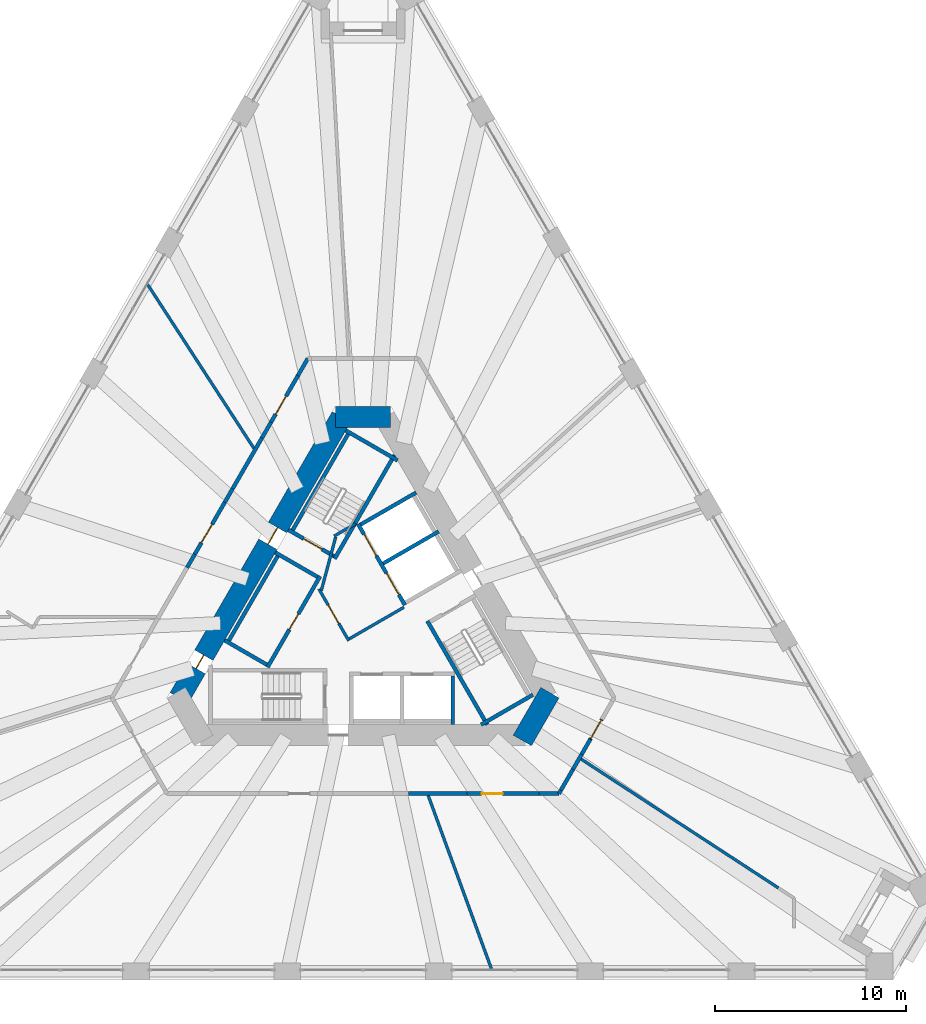
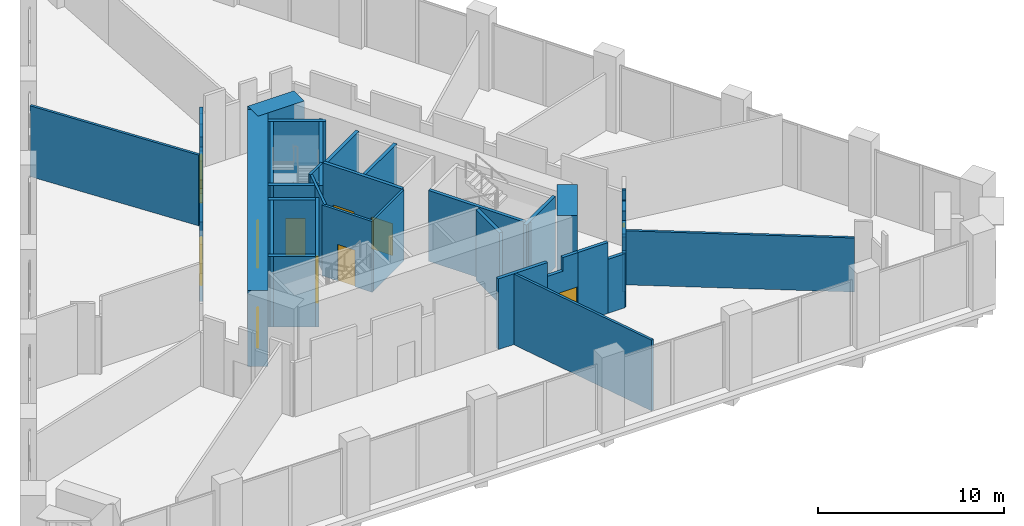
# One storey, part 14 of 20: 40 walls, 11 doors, 11 openings.
"""IFC4 building model written with IfcOpenShell, lengths in metres."""

from ifc_helpers import new_model, si_unit, direction, frame, frame_2d, origin, place, context, subcontext, project, spatial, polyline, rectangle, outline, extrude, material, layer, layer_set, type_object, element, fill, save


model = new_model("IFC4")

# Units and contexts
model_context = context("Model", 3, precision=1e-05, world=origin(), true_north=direction((0.0, 1.0)))
body_context = subcontext(model_context, "Body", "Model", "MODEL_VIEW")
ifc_project = project(units=[si_unit("LENGTHUNIT", "METRE"), si_unit("AREAUNIT", "SQUARE_METRE"), si_unit("VOLUMEUNIT", "CUBIC_METRE"), si_unit("PLANEANGLEUNIT", "RADIAN"), si_unit("MASSUNIT", "GRAM", prefix="KILO")], contexts=[model_context])

# Site, building, storey
site_placement = place(None, origin())
site = spatial("IfcSite", under=ifc_project, at=site_placement, CompositionType="ELEMENT")
building_placement = place(site_placement, origin())
building = spatial("IfcBuilding", under=site, at=building_placement, Name="Tramontana Tower", CompositionType="ELEMENT")
storey_placement = place(building_placement, frame((0.0, 0.0, 10.0)))
storey = spatial("IfcBuildingStorey", under=building, at=storey_placement, Name="L01", CompositionType="ELEMENT", Elevation=10.0)

# Wall
ifc_material_1 = material(Name="Concrete 70 MPa", Category="concrete")
ifc_layer_1 = layer(ifc_material_1, 1.10009765625)
ifc_layer_set_1 = layer_set([ifc_layer_1], Name="Core wall 1100 70 MPa")
wall_type_1 = type_object("IfcWallType", Name="Core wall 1100 70 MPa", PredefinedType="SHEAR", material=ifc_layer_set_1)
wall_1_placement = place(storey_placement, frame((1.443359375, 10.449951171875, 0.0), z_axis=(0.0, 0.0, 1.0), x_axis=(-1.0, 0.0, 0.0)))
element("IfcWall", 1, at=wall_1_placement, inside=storey, type_object=wall_type_1, Name="Core wall C0 L01", PredefinedType="SHEAR", context=body_context, shape_type="SweptSolid", body=[
    extrude(rectangle(XDim=2.88671875, YDim=1.10009765625, at=frame_2d((1.443359375, 0.0))), origin(), (0.0, 0.0, 1.0), 5.0),
])

# Wall, openings, doors
wall_2_placement = place(storey_placement, frame((-1.125732421875, 10.449951171875, 0.0), z_axis=(0.0, 0.0, 1.0), x_axis=(-0.500001757713, -0.866024388966, 0.0)))
wall_2 = element("IfcWall", 2, at=wall_2_placement, inside=storey, type_object=wall_type_1, Name="Core wall C1 L01", PredefinedType="SHEAR", context=body_context, shape_type="SweptSolid", body=[
    extrude(rectangle(XDim=16.97412109375, YDim=1.10009765625, at=frame_2d((8.487060546875, 0.0))), origin(), (0.0, 0.0, 1.0), 5.0),
])
opening_1_placement = place(wall_2_placement, frame((6.692138671875, 0.0, 0.0)))
opening_1 = element("IfcOpeningElement", 3, at=opening_1_placement, cuts=wall_2, Name="Opening RG1", PredefinedType="OPENING", context=body_context, shape_type="SweptSolid", body=[
    extrude(rectangle(XDim=1.0, YDim=2.39990234375, at=frame_2d((0.5, 1.199951171875))), frame((0.0, 0.56005859375, 0.0), z_axis=(0.0, -1.0, 0.0), x_axis=(1.0, 0.0, 0.0)), (0.0, 0.0, 1.0), 1.1201171875),
])
opening_2_placement = place(wall_2_placement, frame((14.397216796875, 0.0, 0.0)))
opening_2 = element("IfcOpeningElement", 4, at=opening_2_placement, cuts=wall_2, Name="Opening PD1", PredefinedType="OPENING", context=body_context, shape_type="SweptSolid", body=[
    extrude(rectangle(XDim=0.800048828125, YDim=2.10009765625, at=frame_2d((0.39990234375, 1.050048828125))), frame((0.0, 0.56005859375, 0.0), z_axis=(0.0, -1.0, 0.0), x_axis=(1.0, 0.0, 0.0)), (0.0, 0.0, 1.0), 1.1201171875),
])
ifc_material_2 = material(Name="Painted steel", Category="steel")
door_type_1 = type_object("IfcDoorType", Name="CUPBOARD DOOR 800", OperationType="SINGLE_SWING_LEFT", PredefinedType="DOOR", material=ifc_material_2)
door_1_placement = place(opening_2_placement, origin())
door_1 = element("IfcDoor", 5, at=door_1_placement, inside=storey, type_object=door_type_1, Name="Door PD1", OperationType="SINGLE_SWING_RIGHT", OverallHeight=2.10009765625, OverallWidth=0.800048828125, PredefinedType="DOOR", context=body_context, shape_type="SweptSolid", body=[
    extrude(rectangle(XDim=0.800048828125, YDim=2.10009765625, at=frame_2d((0.39990234375, 1.050048828125))), frame((0.0, 0.02490234375, 0.0), z_axis=(0.0, -1.0, 0.0), x_axis=(1.0, 0.0, 0.0)), (0.0, 0.0, 1.0), 0.050048828125),
])
fill(opening_2, door_1)
ifc_material_3 = material(Name="Painted steel", Category="steel")
door_type_2 = type_object("IfcDoorType", Name="RING DOOR 1000", OperationType="SINGLE_SWING_LEFT", PredefinedType="DOOR", material=ifc_material_3)
door_2_placement = place(opening_1_placement, origin())
door_2 = element("IfcDoor", 6, at=door_2_placement, inside=storey, type_object=door_type_2, Name="Door RG1", OperationType="SINGLE_SWING_LEFT", OverallHeight=2.39990234375, OverallWidth=1.0, PredefinedType="DOOR", context=body_context, shape_type="SweptSolid", body=[
    extrude(rectangle(XDim=1.0, YDim=2.39990234375, at=frame_2d((0.5, 1.199951171875))), frame((0.0, 0.02490234375, 0.0), z_axis=(0.0, -1.0, 0.0), x_axis=(1.0, 0.0, 0.0)), (0.0, 0.0, 1.0), 0.050048828125),
])
fill(opening_1, door_2)

# Wall
wall_3_placement = place(storey_placement, frame((8.328369140625, -6.47509765625, 0.0), z_axis=(0.0, 0.0, 1.0), x_axis=(0.499995765644, 0.866027848477, 0.0)))
element("IfcWall", 7, at=wall_3_placement, inside=storey, type_object=wall_type_1, Name="Core wall C4 L01", PredefinedType="SHEAR", context=body_context, shape_type="SweptSolid", body=[
    extrude(rectangle(XDim=2.88671875, YDim=1.10009765625, at=frame_2d((1.443359375, 0.0))), origin(), (0.0, 0.0, 1.0), 5.0),
])

# Wall, opening, door
ifc_material_4 = material(Name="Blockwork", Category="masonry")
ifc_layer_2 = layer(ifc_material_4, 0.199951171875)
ifc_layer_set_2 = layer_set([ifc_layer_2], Name="ENTRY WALL 200")
wall_type_2 = type_object("IfcWallType", Name="ENTRY WALL 200", PredefinedType="SOLIDWALL", material=ifc_layer_set_2)
wall_4_placement = place(storey_placement, frame((12.485595703125, -5.37451171875, 0.0), z_axis=(0.0, 0.0, 1.0), x_axis=(-0.50012165622, -0.865955154139, 0.0)))
wall_4 = element("IfcWall", 8, at=wall_4_placement, inside=storey, type_object=wall_type_2, Name="Wall ew1-2", PredefinedType="SOLIDWALL", context=body_context, shape_type="SweptSolid", body=[
    extrude(outline(polyline([(0.0, 0.0), (1.199951171875, 0.0), (1.199951171875, 4.64990234375), (1.068115234375, 4.64990234375), (1.068115234375, 3.550048828125), (0.165771484375, 3.550048828125), (0.165771484375, 4.64990234375), (0.0, 4.64990234375), (0.0, 0.0)])), frame((0.0, 0.10009765625, 0.0), z_axis=(0.0, -1.0, 0.0), x_axis=(1.0, 0.0, 0.0)), (0.0, 0.0, 1.0), 0.199951171875),
])
opening_3_placement = place(wall_4_placement, frame((0.050048828125, 0.0, 0.0)))
opening_3 = element("IfcOpeningElement", 9, at=opening_3_placement, cuts=wall_4, Name="Opening L01-08", PredefinedType="OPENING", context=body_context, shape_type="SweptSolid", body=[
    extrude(rectangle(XDim=1.10009765625, YDim=2.39990234375, at=frame_2d((0.550048828125, 1.199951171875))), frame((0.0, 0.10986328125, 0.0), z_axis=(0.0, -1.0, 0.0), x_axis=(1.0, 0.0, 0.0)), (0.0, 0.0, 1.0), 0.219970703125),
])
ifc_material_5 = material(Name="Painted timber", Category="wood")
door_type_3 = type_object("IfcDoorType", Name="DOOR ENTRY 1100", OperationType="SINGLE_SWING_LEFT", PredefinedType="DOOR", material=ifc_material_5)
door_3_placement = place(opening_3_placement, origin())
door_3 = element("IfcDoor", 10, at=door_3_placement, inside=storey, type_object=door_type_3, Name="Door L01-08", OperationType="SINGLE_SWING_RIGHT", OverallHeight=2.39990234375, OverallWidth=1.10009765625, PredefinedType="DOOR", context=body_context, shape_type="SweptSolid", body=[
    extrude(rectangle(XDim=1.10009765625, YDim=2.39990234375, at=frame_2d((0.550048828125, 1.199951171875))), frame((0.0, 0.02490234375, 0.0), z_axis=(0.0, -1.0, 0.0), x_axis=(1.0, 0.0, 0.0)), (0.0, 0.0, 1.0), 0.050048828125),
])
fill(opening_3, door_3)

# Walls
wall_5_placement = place(storey_placement, frame((11.885498046875, -6.41357421875, 0.0), z_axis=(0.0, 0.0, 1.0), x_axis=(-0.499923988433, -0.866069284636, 0.0)))
element("IfcWall", 11, at=wall_5_placement, inside=storey, type_object=wall_type_2, Name="Wall ew1-3", PredefinedType="SOLIDWALL", context=body_context, shape_type="SweptSolid", body=[
    extrude(rectangle(XDim=0.908935546875, YDim=0.199951171875, at=frame_2d((0.45458984375, 0.0))), origin(), (0.0, 0.0, 1.0), 4.64990234375),
])
wall_6_placement = place(storey_placement, frame((11.43115234375, -7.20068359375, 0.0), z_axis=(0.0, 0.0, 1.0), x_axis=(-0.500097243556, -0.865969252911, 0.0)))
element("IfcWall", 12, at=wall_6_placement, inside=storey, type_object=wall_type_2, Name="Wall ew1-4", PredefinedType="SOLIDWALL", context=body_context, shape_type="SweptSolid", body=[
    extrude(rectangle(XDim=0.902099609375, YDim=0.199951171875, at=frame_2d((0.451171875, 0.0))), origin(), (0.0, 0.0, 1.0), 3.550048828125),
])
wall_7_placement = place(storey_placement, frame((10.97998046875, -7.98193359375, 0.0), z_axis=(0.0, 0.0, 1.0), x_axis=(-0.499911523785, -0.866076479525, 0.0)))
element("IfcWall", 13, at=wall_7_placement, inside=storey, type_object=wall_type_2, Name="Wall ew1-5", PredefinedType="SOLIDWALL", context=body_context, shape_type="SweptSolid", body=[
    extrude(rectangle(XDim=1.266845703125, YDim=0.199951171875, at=frame_2d((0.63330078125, 0.0))), origin(), (0.0, 0.0, 1.0), 4.64990234375),
])
wall_8_placement = place(storey_placement, frame((10.3466796875, -9.0791015625, 0.0), z_axis=(0.0, 0.0, 1.0), x_axis=(-0.499865263774, -0.866103179807, 0.0)))
element("IfcWall", 14, at=wall_8_placement, inside=storey, type_object=wall_type_2, Name="Wall ew1-6", PredefinedType="SOLIDWALL", context=body_context, shape_type="SweptSolid", body=[
    extrude(rectangle(XDim=0.197265625, YDim=0.199951171875, at=frame_2d((0.0986328125, 0.0))), origin(), (0.0, 0.0, 1.0), 3.550048828125),
])
wall_9_placement = place(storey_placement, frame((10.248046875, -9.25, 0.0), z_axis=(0.0, 0.0, 1.0), x_axis=(-1.0, 0.0, 0.0)))
element("IfcWall", 15, at=wall_9_placement, inside=storey, type_object=wall_type_2, Name="Wall ew2-0", PredefinedType="SOLIDWALL", context=body_context, shape_type="SweptSolid", body=[
    extrude(rectangle(XDim=1.035400390625, YDim=0.199951171875, at=frame_2d((0.517578125, 0.0))), origin(), (0.0, 0.0, 1.0), 3.550048828125),
])
wall_10_placement = place(storey_placement, frame((9.212646484375, -9.25, 0.0), z_axis=(0.0, 0.0, 1.0), x_axis=(-1.0, 0.0, 0.0)))
element("IfcWall", 16, at=wall_10_placement, inside=storey, type_object=wall_type_2, Name="Wall ew2-1", PredefinedType="SOLIDWALL", context=body_context, shape_type="SweptSolid", body=[
    extrude(rectangle(XDim=1.865234375, YDim=0.199951171875, at=frame_2d((0.9326171875, 0.0))), origin(), (0.0, 0.0, 1.0), 4.64990234375),
])

# Wall, opening, door
wall_11_placement = place(storey_placement, frame((7.347412109375, -9.25, 0.0), z_axis=(0.0, 0.0, 1.0), x_axis=(-1.0, 0.0, 0.0)))
wall_11 = element("IfcWall", 17, at=wall_11_placement, inside=storey, type_object=wall_type_2, Name="Wall ew2-2", PredefinedType="SOLIDWALL", context=body_context, shape_type="SweptSolid", body=[
    extrude(outline(polyline([(0.0, 0.0), (1.89990234375, 0.0), (1.89990234375, 3.75), (0.949951171875, 3.75), (0.949951171875, 4.64990234375), (0.0, 4.64990234375), (0.0, 0.0)])), frame((0.0, 0.10009765625, 0.0), z_axis=(0.0, -1.0, 0.0), x_axis=(1.0, 0.0, 0.0)), (0.0, 0.0, 1.0), 0.199951171875),
])
opening_4_placement = place(wall_11_placement, frame((0.050048828125, 0.0, 0.0)))
opening_4 = element("IfcOpeningElement", 18, at=opening_4_placement, cuts=wall_11, Name="Opening L01-07", PredefinedType="OPENING", context=body_context, shape_type="SweptSolid", body=[
    extrude(rectangle(XDim=1.10009765625, YDim=2.39990234375, at=frame_2d((0.550048828125, 1.199951171875))), frame((0.0, 0.10986328125, 0.0), z_axis=(0.0, -1.0, 0.0), x_axis=(1.0, 0.0, 0.0)), (0.0, 0.0, 1.0), 0.219970703125),
])
door_4_placement = place(opening_4_placement, origin())
door_4 = element("IfcDoor", 19, at=door_4_placement, inside=storey, type_object=door_type_3, Name="Door L01-07", OperationType="SINGLE_SWING_LEFT", OverallHeight=2.39990234375, OverallWidth=1.10009765625, PredefinedType="DOOR", context=body_context, shape_type="SweptSolid", body=[
    extrude(rectangle(XDim=1.10009765625, YDim=2.39990234375, at=frame_2d((0.550048828125, 1.199951171875))), frame((0.0, 0.02490234375, 0.0), z_axis=(0.0, -1.0, 0.0), x_axis=(1.0, 0.0, 0.0)), (0.0, 0.0, 1.0), 0.050048828125),
])
fill(opening_4, door_4)

# Walls
wall_12_placement = place(storey_placement, frame((5.447509765625, -9.25, 0.0), z_axis=(0.0, 0.0, 1.0), x_axis=(-1.0, 0.0, 0.0)))
element("IfcWall", 20, at=wall_12_placement, inside=storey, type_object=wall_type_2, Name="Wall ew2-3", PredefinedType="SOLIDWALL", context=body_context, shape_type="SweptSolid", body=[
    extrude(rectangle(XDim=3.064453125, YDim=0.199951171875, at=frame_2d((1.5322265625, 0.0))), origin(), (0.0, 0.0, 1.0), 4.64990234375),
])
wall_13_placement = place(storey_placement, frame((-9.202392578125, 2.56103515625, 0.0), z_axis=(0.0, 0.0, 1.0), x_axis=(0.500118501653, 0.865956976012, 0.0)))
element("IfcWall", 21, at=wall_13_placement, inside=storey, type_object=wall_type_2, Name="Wall ew4-4", PredefinedType="SOLIDWALL", context=body_context, shape_type="SweptSolid", body=[
    extrude(rectangle(XDim=0.818115234375, YDim=0.199951171875, at=frame_2d((0.4091796875, 0.0))), origin(), (0.0, 0.0, 1.0), 3.75),
])

# Wall, opening, door
wall_14_placement = place(storey_placement, frame((-8.793212890625, 3.26953125, 0.0), z_axis=(0.0, 0.0, 1.0), x_axis=(0.499947505232, 0.866055709532, 0.0)))
wall_14 = element("IfcWall", 22, at=wall_14_placement, inside=storey, type_object=wall_type_2, Name="Wall ew4-5", PredefinedType="SOLIDWALL", context=body_context, shape_type="SweptSolid", body=[
    extrude(rectangle(XDim=3.130126953125, YDim=0.199951171875, at=frame_2d((1.56494140625, 0.0))), origin(), (0.0, 0.0, 1.0), 4.64990234375),
])
opening_5_placement = place(wall_14_placement, frame((0.693359375, 0.0, 0.0)))
opening_5 = element("IfcOpeningElement", 23, at=opening_5_placement, cuts=wall_14, Name="Opening L01-03", PredefinedType="OPENING", context=body_context, shape_type="SweptSolid", body=[
    extrude(rectangle(XDim=1.10009765625, YDim=2.39990234375, at=frame_2d((0.550048828125, 1.199951171875))), frame((0.0, 0.10986328125, 0.0), z_axis=(0.0, -1.0, 0.0), x_axis=(1.0, 0.0, 0.0)), (0.0, 0.0, 1.0), 0.219970703125),
])
door_5_placement = place(opening_5_placement, origin())
door_5 = element("IfcDoor", 24, at=door_5_placement, inside=storey, type_object=door_type_3, Name="Door L01-03", OperationType="SINGLE_SWING_LEFT", OverallHeight=2.39990234375, OverallWidth=1.10009765625, PredefinedType="DOOR", context=body_context, shape_type="SweptSolid", body=[
    extrude(rectangle(XDim=1.10009765625, YDim=2.39990234375, at=frame_2d((0.550048828125, 1.199951171875))), frame((0.0, 0.02490234375, 0.0), z_axis=(0.0, -1.0, 0.0), x_axis=(1.0, 0.0, 0.0)), (0.0, 0.0, 1.0), 0.050048828125),
])
fill(opening_5, door_5)

# Walls
wall_15_placement = place(storey_placement, frame((-7.228271484375, 5.98046875, 0.0), z_axis=(0.0, 0.0, 1.0), x_axis=(0.500118501653, 0.865956976012, 0.0)))
element("IfcWall", 25, at=wall_15_placement, inside=storey, type_object=wall_type_2, Name="Wall ew4-6", PredefinedType="SOLIDWALL", context=body_context, shape_type="SweptSolid", body=[
    extrude(rectangle(XDim=0.818115234375, YDim=0.199951171875, at=frame_2d((0.4091796875, 0.0))), origin(), (0.0, 0.0, 1.0), 3.75),
])
wall_16_placement = place(storey_placement, frame((-6.819091796875, 6.68896484375, 0.0), z_axis=(0.0, 0.0, 1.0), x_axis=(0.499952348839, 0.866052913447, 0.0)))
element("IfcWall", 26, at=wall_16_placement, inside=storey, type_object=wall_type_2, Name="Wall ew4-7", PredefinedType="SOLIDWALL", context=body_context, shape_type="SweptSolid", body=[
    extrude(rectangle(XDim=3.064208984375, YDim=0.199951171875, at=frame_2d((1.5322265625, 0.0))), origin(), (0.0, 0.0, 1.0), 4.64990234375),
])
wall_17_placement = place(storey_placement, frame((-5.287109375, 9.3427734375, 0.0), z_axis=(0.0, 0.0, 1.0), x_axis=(0.500174821557, 0.865924446982, 0.0)))
element("IfcWall", 27, at=wall_17_placement, inside=storey, type_object=wall_type_2, Name="Wall ew4-8", PredefinedType="SOLIDWALL", context=body_context, shape_type="SweptSolid", body=[
    extrude(rectangle(XDim=0.949951171875, YDim=0.199951171875, at=frame_2d((0.47509765625, 0.0))), origin(), (0.0, 0.0, 1.0), 3.75),
])

# Wall, opening, door
wall_18_placement = place(storey_placement, frame((-4.81201171875, 10.165283203125, 0.0), z_axis=(0.0, 0.0, 1.0), x_axis=(0.500000186108, 0.866025296335, 0.0)))
wall_18 = element("IfcWall", 28, at=wall_18_placement, inside=storey, type_object=wall_type_2, Name="Wall ew4-9", PredefinedType="SOLIDWALL", context=body_context, shape_type="SweptSolid", body=[
    extrude(rectangle(XDim=2.8154296875, YDim=0.199951171875, at=frame_2d((1.40771484375, 0.0))), origin(), (0.0, 0.0, 1.0), 4.64990234375),
])
opening_6_placement = place(wall_18_placement, frame((0.481689453125, 0.0, 0.0)))
opening_6 = element("IfcOpeningElement", 29, at=opening_6_placement, cuts=wall_18, Name="Opening L01-02", PredefinedType="OPENING", context=body_context, shape_type="SweptSolid", body=[
    extrude(rectangle(XDim=1.10009765625, YDim=2.39990234375, at=frame_2d((0.550048828125, 1.199951171875))), frame((0.0, 0.10986328125, 0.0), z_axis=(0.0, -1.0, 0.0), x_axis=(1.0, 0.0, 0.0)), (0.0, 0.0, 1.0), 0.219970703125),
])
door_6_placement = place(opening_6_placement, origin())
door_6 = element("IfcDoor", 30, at=door_6_placement, inside=storey, type_object=door_type_3, Name="Door L01-02", OperationType="SINGLE_SWING_RIGHT", OverallHeight=2.39990234375, OverallWidth=1.10009765625, PredefinedType="DOOR", context=body_context, shape_type="SweptSolid", body=[
    extrude(rectangle(XDim=1.10009765625, YDim=2.39990234375, at=frame_2d((0.550048828125, 1.199951171875))), frame((0.0, 0.02490234375, 0.0), z_axis=(0.0, -1.0, 0.0), x_axis=(1.0, 0.0, 0.0)), (0.0, 0.0, 1.0), 0.050048828125),
])
fill(opening_6, door_6)

# Wall
wall_19_placement = place(storey_placement, frame((-3.404296875, 12.603515625, 0.0), z_axis=(0.0, 0.0, 1.0), x_axis=(0.499994660107, 0.866028486751, 0.0)))
element("IfcWall", 31, at=wall_19_placement, inside=storey, type_object=wall_type_2, Name="Wall ew4-10", PredefinedType="SOLIDWALL", context=body_context, shape_type="SweptSolid", body=[
    extrude(rectangle(XDim=1.03515625, YDim=0.199951171875, at=frame_2d((0.517578125, 0.0))), origin(), (0.0, 0.0, 1.0), 3.550048828125),
])

# Wall, opening, door
ifc_material_6 = material(Name="Gypsum board partition")
ifc_layer_3 = layer(ifc_material_6, 0.14990234375)
ifc_layer_set_3 = layer_set([ifc_layer_3], Name="PARTITION 150")
wall_type_3 = type_object("IfcWallType", Name="PARTITION 150", PredefinedType="PARTITIONING", material=ifc_layer_set_3)
wall_20_placement = place(storey_placement, frame((-0.744140625, -1.260986328125, 0.0), z_axis=(0.0, 0.0, 1.0), x_axis=(-0.500004234368, 0.866022959057, 0.0)))
wall_20 = element("IfcWall", 32, at=wall_20_placement, inside=storey, type_object=wall_type_3, Name="Wall ff-front", PredefinedType="PARTITIONING", context=body_context, shape_type="SweptSolid", body=[
    extrude(rectangle(XDim=3.125, YDim=0.14990234375, at=frame_2d((1.5625, 0.0))), origin(), (0.0, 0.0, 1.0), 4.64990234375),
])
opening_7_placement = place(wall_20_placement, frame((1.050048828125, 0.0, 0.0)))
opening_7 = element("IfcOpeningElement", 33, at=opening_7_placement, cuts=wall_20, Name="Opening FD1", PredefinedType="OPENING", context=body_context, shape_type="SweptSolid", body=[
    extrude(rectangle(XDim=1.10009765625, YDim=2.39990234375, at=frame_2d((0.550048828125, 1.199951171875))), frame((0.0, 0.0849609375, 0.0), z_axis=(0.0, -1.0, 0.0), x_axis=(1.0, 0.0, 0.0)), (0.0, 0.0, 1.0), 0.169921875),
])
door_7_placement = place(opening_7_placement, origin())
door_7 = element("IfcDoor", 34, at=door_7_placement, inside=storey, type_object=door_type_3, Name="Door FD1", OperationType="SINGLE_SWING_RIGHT", OverallHeight=2.39990234375, OverallWidth=1.10009765625, PredefinedType="DOOR", context=body_context, shape_type="SweptSolid", body=[
    extrude(rectangle(XDim=1.10009765625, YDim=2.39990234375, at=frame_2d((0.550048828125, 1.199951171875))), frame((0.0, 0.02490234375, 0.0), z_axis=(0.0, -1.0, 0.0), x_axis=(1.0, 0.0, 0.0)), (0.0, 0.0, 1.0), 0.050048828125),
])
fill(opening_7, door_7)

# Walls
wall_21_placement = place(storey_placement, frame((-0.716796875, -1.15869140625, 0.0), z_axis=(0.0, 0.0, 1.0), x_axis=(0.866008176907, 0.50002983664, 0.0)))
element("IfcWall", 35, at=wall_21_placement, inside=storey, type_object=wall_type_3, Name="Wall ff-end0", PredefinedType="PARTITIONING", context=body_context, shape_type="SweptSolid", body=[
    extrude(rectangle(XDim=3.300048828125, YDim=0.14990234375, at=frame_2d((1.64990234375, 0.0))), origin(), (0.0, 0.0, 1.0), 4.64990234375),
])
wall_22_placement = place(storey_placement, frame((-2.177978515625, 1.372314453125, 0.0), z_axis=(0.0, 0.0, 1.0), x_axis=(0.258808958833, 0.96592852884, 0.0)))
element("IfcWall", 36, at=wall_22_placement, inside=storey, type_object=wall_type_3, Name="Wall ff-diag", PredefinedType="PARTITIONING", context=body_context, shape_type="SweptSolid", body=[
    extrude(rectangle(XDim=2.902587890625, YDim=0.14990234375, at=frame_2d((1.451171875, 0.0))), origin(), (0.0, 0.0, 1.0), 4.64990234375),
])
wall_23_placement = place(storey_placement, frame((-1.509765625, 4.21484375, 0.0), z_axis=(0.0, 0.0, 1.0), x_axis=(0.866085525409, 0.49989585183, 0.0)))
element("IfcWall", 37, at=wall_23_placement, inside=storey, type_object=wall_type_3, Name="Wall ff-end1", PredefinedType="PARTITIONING", context=body_context, shape_type="SweptSolid", body=[
    extrude(rectangle(XDim=1.300048828125, YDim=0.14990234375, at=frame_2d((0.64990234375, 0.0))), origin(), (0.0, 0.0, 1.0), 4.64990234375),
])
wall_24_placement = place(storey_placement, frame((-5.71142578125, 8.8076171875, 0.0), z_axis=(0.0, 0.0, 1.0), x_axis=(-0.544077203012, 0.839035158478, 0.0)))
element("IfcWall", 38, at=wall_24_placement, inside=storey, type_object=wall_type_3, Name="Wall fw-pw06", PredefinedType="PARTITIONING", context=body_context, shape_type="SweptSolid", body=[
    extrude(rectangle(XDim=10.194091796875, YDim=0.14990234375, at=frame_2d((5.09716796875, 0.0))), origin(), (0.0, 0.0, 1.0), 4.64990234375),
])
wall_25_placement = place(storey_placement, frame((3.408447265625, -9.35009765625, 0.0), z_axis=(0.0, 0.0, 1.0), x_axis=(0.342501547894, -0.939517264179, 0.0)))
element("IfcWall", 39, at=wall_25_placement, inside=storey, type_object=wall_type_3, Name="Wall fw-pw08", PredefinedType="PARTITIONING", context=body_context, shape_type="SweptSolid", body=[
    extrude(rectangle(XDim=9.664306640625, YDim=0.14990234375, at=frame_2d((4.83203125, 0.0))), origin(), (0.0, 0.0, 1.0), 4.64990234375),
])
wall_26_placement = place(storey_placement, frame((11.40380859375, -7.4482421875, 0.0), z_axis=(0.0, 0.0, 1.0), x_axis=(0.837249771863, -0.54682064657, 0.0)))
element("IfcWall", 40, at=wall_26_placement, inside=storey, type_object=wall_type_3, Name="Wall fw-pw10-0", PredefinedType="PARTITIONING", context=body_context, shape_type="SweptSolid", body=[
    extrude(rectangle(XDim=12.32275390625, YDim=0.14990234375, at=frame_2d((6.161376953125, 0.0))), origin(), (0.0, 0.0, 1.0), 3.550048828125),
])
ifc_material_7 = material(Name="Concrete 70 MPa", Category="concrete")
ifc_layer_4 = layer(ifc_material_7, 0.199951171875)
ifc_layer_set_4 = layer_set([ifc_layer_4], Name="Concrete 70 MPa, 200 mm")
wall_type_4 = type_object("IfcWallType", Name="RC SHAFT BACK WALL 200", PredefinedType="SOLIDWALL", material=ifc_layer_set_4)
wall_27_placement = place(storey_placement, frame((-0.679931640625, 9.722412109375, 0.0), z_axis=(0.0, 0.0, 1.0), x_axis=(-0.49998037582, -0.866036733513, 0.0)))
element("IfcWall", 41, at=wall_27_placement, inside=storey, type_object=wall_type_4, Name="Wall st1-back", PredefinedType="SOLIDWALL", context=body_context, shape_type="SweptSolid", body=[
    extrude(rectangle(XDim=6.199951171875, YDim=0.199951171875, at=frame_2d((3.10009765625, 0.0))), origin(), (0.0, 0.0, 1.0), 4.64990234375),
])
wall_28_placement = place(storey_placement, frame((-4.36474609375, 3.33984375, 0.0), z_axis=(0.0, 0.0, 1.0), x_axis=(-0.499996545922, -0.866027397988, 0.0)))
element("IfcWall", 42, at=wall_28_placement, inside=storey, type_object=wall_type_4, Name="Wall row0-back", PredefinedType="SOLIDWALL", context=body_context, shape_type="SweptSolid", body=[
    extrude(rectangle(XDim=5.5, YDim=0.199951171875, at=frame_2d((2.75, 0.0))), origin(), (0.0, 0.0, 1.0), 4.64990234375),
])
ifc_material_8 = material(Name="Concrete 70 MPa", Category="concrete")
ifc_layer_5 = layer(ifc_material_8, 0.199951171875)
ifc_layer_set_5 = layer_set([ifc_layer_5], Name="Concrete 70 MPa, 200 mm")
wall_type_5 = type_object("IfcWallType", Name="RC STAIR AND SHAFT WALL 200", PredefinedType="SOLIDWALL", material=ifc_layer_set_5)
wall_29_placement = place(storey_placement, frame((1.6455078125, 8.449951171875, 0.0), z_axis=(0.0, 0.0, 1.0), x_axis=(-0.500006002103, -0.866021938441, 0.0)))
element("IfcWall", 43, at=wall_29_placement, inside=storey, type_object=wall_type_5, Name="Wall st1-front", PredefinedType="SOLIDWALL", context=body_context, shape_type="SweptSolid", body=[
    extrude(rectangle(XDim=6.2607421875, YDim=0.199951171875, at=frame_2d((3.13037109375, 0.0))), origin(), (0.0, 0.0, 1.0), 4.64990234375),
])
wall_30_placement = place(storey_placement, frame((1.80615234375, 8.171875, 0.0), z_axis=(0.0, 0.0, 1.0), x_axis=(-0.866054327916, 0.499949898588, 0.0)))
element("IfcWall", 44, at=wall_30_placement, inside=storey, type_object=wall_type_5, Name="Wall st1-far", PredefinedType="SOLIDWALL", context=body_context, shape_type="SweptSolid", body=[
    extrude(rectangle(XDim=3.128173828125, YDim=0.199951171875, at=frame_2d((1.56396484375, 0.0))), origin(), (0.0, 0.0, 1.0), 4.64990234375),
])

# Wall, opening, door
wall_31_placement = place(storey_placement, frame((-1.521484375, 3.164794921875, 0.0), z_axis=(0.0, 0.0, 1.0), x_axis=(-0.866027397988, 0.499996545922, 0.0)))
wall_31 = element("IfcWall", 45, at=wall_31_placement, inside=storey, type_object=wall_type_5, Name="Wall st1-near", PredefinedType="SOLIDWALL", context=body_context, shape_type="SweptSolid", body=[
    extrude(rectangle(XDim=2.75, YDim=0.199951171875, at=frame_2d((1.375, 0.0))), origin(), (0.0, 0.0, 1.0), 4.64990234375),
])
opening_8_placement = place(wall_31_placement, frame((0.72509765625, 0.0, 0.0)))
opening_8 = element("IfcOpeningElement", 46, at=opening_8_placement, cuts=wall_31, Name="Opening SD1", PredefinedType="OPENING", context=body_context, shape_type="SweptSolid", body=[
    extrude(rectangle(XDim=1.10009765625, YDim=2.39990234375, at=frame_2d((0.550048828125, 1.199951171875))), frame((0.0, 0.10986328125, 0.0), z_axis=(0.0, -1.0, 0.0), x_axis=(1.0, 0.0, 0.0)), (0.0, 0.0, 1.0), 0.219970703125),
])
ifc_material_9 = material(Name="Painted steel", Category="steel")
door_type_4 = type_object("IfcDoorType", Name="STAIR DOOR 1100", OperationType="SINGLE_SWING_LEFT", PredefinedType="DOOR", material=ifc_material_9)
door_8_placement = place(opening_8_placement, origin())
door_8 = element("IfcDoor", 47, at=door_8_placement, inside=storey, type_object=door_type_4, Name="Door SD1", OperationType="SINGLE_SWING_RIGHT", OverallHeight=2.39990234375, OverallWidth=1.10009765625, PredefinedType="DOOR", context=body_context, shape_type="SweptSolid", body=[
    extrude(rectangle(XDim=1.10009765625, YDim=2.39990234375, at=frame_2d((0.550048828125, 1.199951171875))), frame((0.0, 0.02490234375, 0.0), z_axis=(0.0, -1.0, 0.0), x_axis=(1.0, 0.0, 0.0)), (0.0, 0.0, 1.0), 0.050048828125),
])
fill(opening_8, door_8)

# Walls
wall_32_placement = place(storey_placement, frame((6.4951171875, -5.64990234375, 0.0), z_axis=(0.0, 0.0, 1.0), x_axis=(-0.499976754523, 0.866038824151, 0.0)))
element("IfcWall", 48, at=wall_32_placement, inside=storey, type_object=wall_type_5, Name="Wall st3-front", PredefinedType="SOLIDWALL", context=body_context, shape_type="SweptSolid", body=[
    extrude(rectangle(XDim=6.260498046875, YDim=0.199951171875, at=frame_2d((3.13037109375, 0.0))), origin(), (0.0, 0.0, 1.0), 4.64990234375),
])
wall_33_placement = place(storey_placement, frame((6.173828125, -5.64990234375, 0.0), z_axis=(0.0, 0.0, 1.0), x_axis=(0.866054327916, 0.499949898588, 0.0)))
element("IfcWall", 49, at=wall_33_placement, inside=storey, type_object=wall_type_5, Name="Wall st3-far", PredefinedType="SOLIDWALL", context=body_context, shape_type="SweptSolid", body=[
    extrude(rectangle(XDim=3.128173828125, YDim=0.199951171875, at=frame_2d((1.56396484375, 0.0))), origin(), (0.0, 0.0, 1.0), 4.64990234375),
])

# Wall, opening, door
wall_34_placement = place(storey_placement, frame((-4.9931640625, -2.648193359375, 0.0), z_axis=(0.0, 0.0, 1.0), x_axis=(0.499996545922, 0.866027397988, 0.0)))
wall_34 = element("IfcWall", 50, at=wall_34_placement, inside=storey, type_object=wall_type_5, Name="Wall row0-front", PredefinedType="SOLIDWALL", context=body_context, shape_type="SweptSolid", body=[
    extrude(rectangle(XDim=5.5, YDim=0.199951171875, at=frame_2d((2.75, 0.0))), origin(), (0.0, 0.0, 1.0), 4.64990234375),
])
opening_9_placement = place(wall_34_placement, frame((2.27490234375, 0.0, 0.0)))
opening_9 = element("IfcOpeningElement", 51, at=opening_9_placement, cuts=wall_34, Name="Opening RD-0", PredefinedType="OPENING", context=body_context, shape_type="SweptSolid", body=[
    extrude(rectangle(XDim=0.949951171875, YDim=2.39990234375, at=frame_2d((0.47509765625, 1.199951171875))), frame((0.0, 0.10986328125, 0.0), z_axis=(0.0, -1.0, 0.0), x_axis=(1.0, 0.0, 0.0)), (0.0, 0.0, 1.0), 0.219970703125),
])
ifc_material_10 = material(Name="Painted timber", Category="wood")
door_type_5 = type_object("IfcDoorType", Name="DOOR ROOM 950", OperationType="SINGLE_SWING_LEFT", PredefinedType="DOOR", material=ifc_material_10)
door_9_placement = place(opening_9_placement, origin())
door_9 = element("IfcDoor", 52, at=door_9_placement, inside=storey, type_object=door_type_5, Name="Door RD-0", OperationType="SINGLE_SWING_LEFT", OverallHeight=2.39990234375, OverallWidth=0.949951171875, PredefinedType="DOOR", context=body_context, shape_type="SweptSolid", body=[
    extrude(rectangle(XDim=0.949951171875, YDim=2.39990234375, at=frame_2d((0.47509765625, 1.199951171875))), frame((0.0, 0.02490234375, 0.0), z_axis=(0.0, -1.0, 0.0), x_axis=(1.0, 0.0, 0.0)), (0.0, 0.0, 1.0), 0.050048828125),
])
fill(opening_9, door_9)

# Walls
for number, where, z_axis, x_axis, name in (
    (53, (-2.379638671875, 2.078369140625, 0.0), (0.0, 0.0, 1.0), (-0.866054858364, 0.499948979701, 0.0), "Wall row0-side0"),
    (54, (-5.02978515625, -2.51171875, 0.0), (0.0, 0.0, 1.0), (-0.865989465428, 0.500062241894, 0.0), "Wall row0-side2"),
):
    element("IfcWall", number, at=place(storey_placement, frame(where, z_axis=z_axis, x_axis=x_axis)), inside=storey, type_object=wall_type_5, Name=name, PredefinedType="SOLIDWALL", context=body_context, shape_type="SweptSolid", body=[
        extrude(rectangle(XDim=2.550048828125, YDim=0.199951171875, at=frame_2d((1.27490234375, 0.0))), origin(), (0.0, 0.0, 1.0), 4.64990234375),
    ])
wall_35_placement = place(storey_placement, frame((4.68994140625, -3.10009765625, 0.0), z_axis=(0.0, 0.0, 1.0), x_axis=(0.0, -1.0, 0.0)))
element("IfcWall", 55, at=wall_35_placement, inside=storey, type_object=wall_type_5, Name="Wall row1-side2", PredefinedType="SOLIDWALL", context=body_context, shape_type="SweptSolid", body=[
    extrude(rectangle(XDim=2.5498046875, YDim=0.199951171875, at=frame_2d((1.27490234375, 0.0))), origin(), (0.0, 0.0, 1.0), 4.64990234375),
])

# Wall, openings, doors
wall_36_placement = place(storey_placement, frame((2.190185546875, 0.6064453125, 0.0), z_axis=(0.0, 0.0, 1.0), x_axis=(-0.500002801628, 0.866023786258, 0.0)))
wall_36 = element("IfcWall", 56, at=wall_36_placement, inside=storey, type_object=wall_type_5, Name="Wall row2-front", PredefinedType="SOLIDWALL", context=body_context, shape_type="SweptSolid", body=[
    extrude(rectangle(XDim=4.89990234375, YDim=0.199951171875, at=frame_2d((2.449951171875, 0.0))), origin(), (0.0, 0.0, 1.0), 4.64990234375),
])
opening_10_placement = place(wall_36_placement, frame((0.625, 0.0, 0.0)))
opening_10 = element("IfcOpeningElement", 57, at=opening_10_placement, cuts=wall_36, Name="Opening LD-F1", PredefinedType="OPENING", context=body_context, shape_type="SweptSolid", body=[
    extrude(rectangle(XDim=1.300048828125, YDim=2.10009765625, at=frame_2d((0.64990234375, 1.050048828125))), frame((0.0, 0.10986328125, 0.0), z_axis=(0.0, -1.0, 0.0), x_axis=(1.0, 0.0, 0.0)), (0.0, 0.0, 1.0), 0.219970703125),
])
opening_11_placement = place(wall_36_placement, frame((2.97509765625, 0.0, 0.0)))
opening_11 = element("IfcOpeningElement", 58, at=opening_11_placement, cuts=wall_36, Name="Opening LD-F2", PredefinedType="OPENING", context=body_context, shape_type="SweptSolid", body=[
    extrude(rectangle(XDim=1.300048828125, YDim=2.10009765625, at=frame_2d((0.64990234375, 1.050048828125))), frame((0.0, 0.10986328125, 0.0), z_axis=(0.0, -1.0, 0.0), x_axis=(1.0, 0.0, 0.0)), (0.0, 0.0, 1.0), 0.219970703125),
])
ifc_material_11 = material(Name="Brushed steel", Category="steel")
door_type_6 = type_object("IfcDoorType", Name="LANDING DOOR 1300", OperationType="SINGLE_SWING_LEFT", PredefinedType="DOOR", material=ifc_material_11)
door_10_placement = place(opening_10_placement, origin())
door_10 = element("IfcDoor", 59, at=door_10_placement, inside=storey, type_object=door_type_6, Name="Door LD-F1", OperationType="SLIDING_TO_RIGHT", OverallHeight=2.10009765625, OverallWidth=1.300048828125, PredefinedType="DOOR", context=body_context, shape_type="SweptSolid", body=[
    extrude(rectangle(XDim=1.300048828125, YDim=2.10009765625, at=frame_2d((0.64990234375, 1.050048828125))), frame((0.0, 0.02490234375, 0.0), z_axis=(0.0, -1.0, 0.0), x_axis=(1.0, 0.0, 0.0)), (0.0, 0.0, 1.0), 0.050048828125),
])
fill(opening_10, door_10)
door_11_placement = place(opening_11_placement, origin())
door_11 = element("IfcDoor", 60, at=door_11_placement, inside=storey, type_object=door_type_6, Name="Door LD-F2", OperationType="SLIDING_TO_LEFT", OverallHeight=2.10009765625, OverallWidth=1.300048828125, PredefinedType="DOOR", context=body_context, shape_type="SweptSolid", body=[
    extrude(rectangle(XDim=1.300048828125, YDim=2.10009765625, at=frame_2d((0.64990234375, 1.050048828125))), frame((0.0, 0.02490234375, 0.0), z_axis=(0.0, -1.0, 0.0), x_axis=(1.0, 0.0, 0.0)), (0.0, 0.0, 1.0), 0.050048828125),
])
fill(opening_11, door_11)

# Walls
wall_37_placement = place(storey_placement, frame((1.0517578125, 2.778076171875, 0.0), z_axis=(0.0, 0.0, 1.0), x_axis=(0.866032680314, 0.499987396469, 0.0)))
element("IfcWall", 61, at=wall_37_placement, inside=storey, type_object=wall_type_5, Name="Wall row2-side1", PredefinedType="SOLIDWALL", context=body_context, shape_type="SweptSolid", body=[
    extrude(rectangle(XDim=3.35009765625, YDim=0.199951171875, at=frame_2d((1.675048828125, 0.0))), origin(), (0.0, 0.0, 1.0), 4.64990234375),
])
wall_38_placement = place(storey_placement, frame((-0.123046875, 4.813232421875, 0.0), z_axis=(0.0, 0.0, 1.0), x_axis=(0.866014461049, 0.500018952895, 0.0)))
element("IfcWall", 62, at=wall_38_placement, inside=storey, type_object=wall_type_5, Name="Wall row2-side2", PredefinedType="SOLIDWALL", context=body_context, shape_type="SweptSolid", body=[
    extrude(rectangle(XDim=3.349853515625, YDim=0.199951171875, at=frame_2d((1.6748046875, 0.0))), origin(), (0.0, 0.0, 1.0), 4.64990234375),
])

save(model, "model.ifc")
